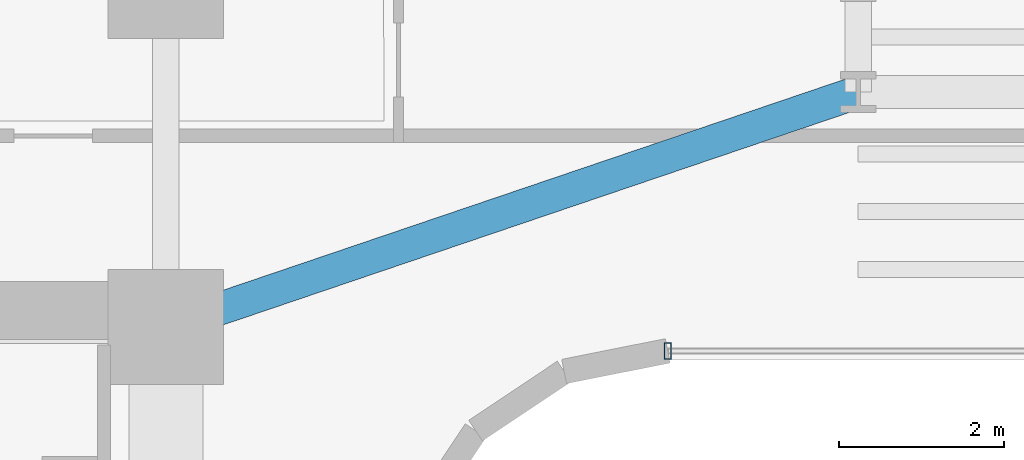
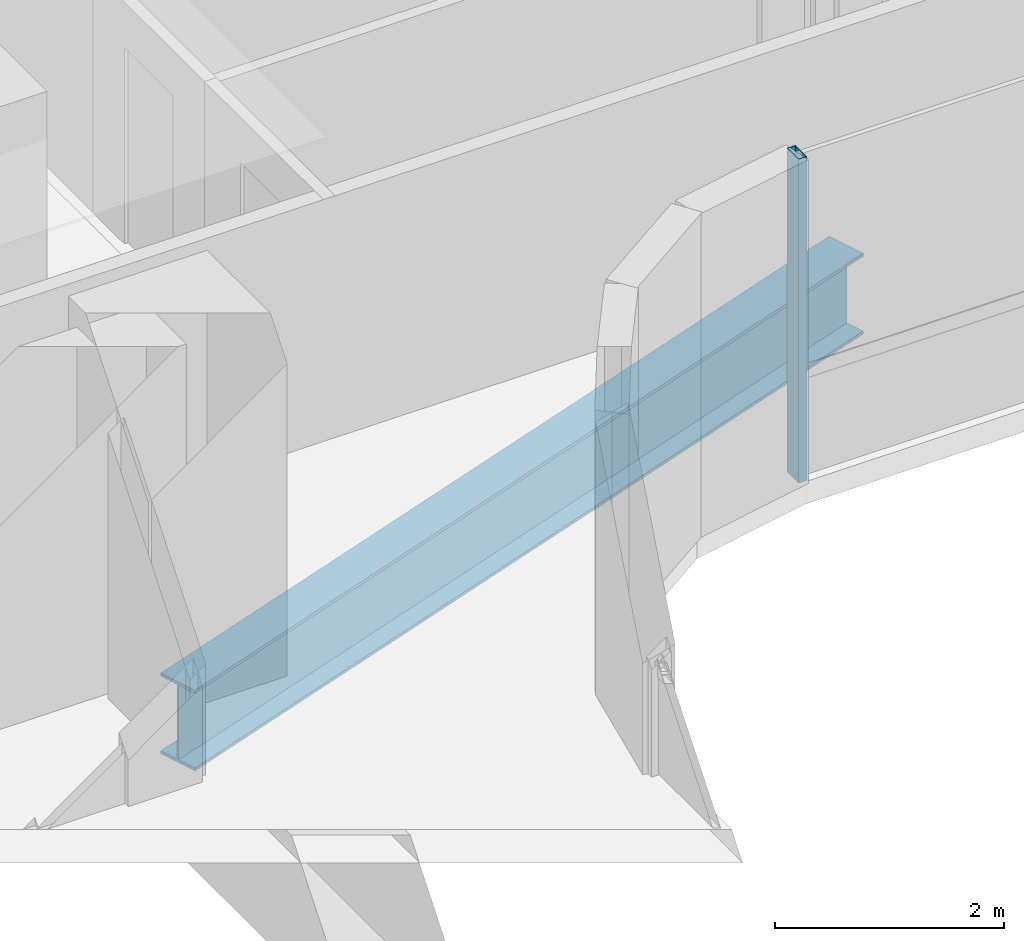
# One storey, part 11 of 40: 1 beam, 1 member, 1 element without a shape of its own.
"""IFC4 building model written with IfcOpenShell, lengths in metres."""

from ifc_helpers import new_model, si_unit, direction, frame, origin, origin_2d, place, context, subcontext, project, spatial, hollow_rectangle, i_section, extrude, source, transform, mapped, material, material_profile, profile_set, type_object, element, aggregate, save


model = new_model("IFC4")

# Units and contexts
model_context = context("Model", 3, precision=1e-05, world=origin(), true_north=direction((0.0, 1.0)))
body_context = subcontext(model_context, "Body", "Model", "MODEL_VIEW")
ifc_project = project(units=[si_unit("LENGTHUNIT", "METRE"), si_unit("AREAUNIT", "SQUARE_METRE"), si_unit("VOLUMEUNIT", "CUBIC_METRE"), si_unit("PLANEANGLEUNIT", "RADIAN"), si_unit("MASSUNIT", "GRAM", prefix="KILO")], contexts=[model_context])

# Site, building, storey
site_placement = place(None, origin())
site = spatial("IfcSite", under=ifc_project, at=site_placement, CompositionType="ELEMENT")
building_placement = place(site_placement, origin())
building = spatial("IfcBuilding", under=site, at=building_placement, Name="Valdorenza Pilgrim Sanctuary Tower", CompositionType="ELEMENT")
storey_placement = place(building_placement, frame((0.0, 0.0, 40.800048828125)))
storey = spatial("IfcBuildingStorey", under=building, at=storey_placement, Name="L09", CompositionType="ELEMENT", Elevation=40.800048828125)

# Beam
ifc_material_1 = material(Name="Steel ASTM A992 Grade 50", Category="steel")
ifc_material_profile_1 = material_profile(ifc_material_1, i_section(OverallWidth=0.39990234375, OverallDepth=0.862060546875, WebThickness=0.019775390625, FlangeThickness=0.032470703125, at=origin_2d()), Name="W33X221")
ifc_profile_set_1 = profile_set([ifc_material_profile_1], Name="Steel ASTM A992 Grade 50")
beam_type = type_object("IfcBeamType", Name="STR-BM-GRD-W33", PredefinedType="BEAM", material=ifc_profile_set_1)
shared_shape_1 = source(origin(), body_context, "Body", "SweptSolid", [
    extrude(i_section(OverallWidth=0.39990234375, OverallDepth=0.862060546875, WebThickness=0.019775390625, FlangeThickness=0.032470703125, at=origin_2d()), origin(), (0.0, 0.0, 1.0), 8.8701171875),
])
beam_placement = place(storey_placement, frame((-12.39990234375, 10.60009765625, -0.671142578125), z_axis=(0.946982588361, 0.321284885018, 0.0), x_axis=(-0.321284885018, 0.946982588361, 0.0)))
element("IfcBeam", 1, at=beam_placement, inside=storey, type_object=beam_type, Name="L09 Floor Girder KNK-G1", PredefinedType="BEAM", context=body_context, shape_type="MappedRepresentation", body=[
    mapped(shared_shape_1, transform((0.0, 0.0, 0.0), x_axis=(1.0, 0.0, 0.0), y_axis=(0.0, 1.0, 0.0), z_axis=(0.0, 0.0, 1.0), scale=1.0)),
])

# Curtain wall, member
ifc_material_2 = material(Name="Curtain-wall IGU glazing", Category="glass")
curtain_wall_type = type_object("IfcCurtainWallType", Name="CW-SYS-02", PredefinedType="NOTDEFINED", material=ifc_material_2)
curtain_wall_placement = place(storey_placement, origin())
curtain_wall = element("IfcCurtainWall", 2, at=curtain_wall_placement, inside=storey, type_object=curtain_wall_type, Name="L09 Curtain Wall CW-L09-1-36", PredefinedType="NOTDEFINED")
ifc_material_3 = material(Name="Anodised aluminium AW-6060", Category="aluminium")
ifc_material_profile_2 = material_profile(ifc_material_3, hollow_rectangle(XDim=0.0849609375, YDim=0.199951171875, WallThickness=0.0048828125, at=origin_2d()), Name="ALU-M 200x85x5")
ifc_profile_set_2 = profile_set([ifc_material_profile_2], Name="Anodised aluminium AW-6060")
member_type = type_object("IfcMemberType", Name="CW-MUL-02", PredefinedType="MULLION", material=ifc_profile_set_2)
shared_shape_2 = source(origin(), body_context, "Body", "SweptSolid", [
    extrude(hollow_rectangle(XDim=0.0849609375, YDim=0.199951171875, WallThickness=0.0048828125, at=origin_2d()), origin(), (0.0, 0.0, 1.0), 3.4599609375),
])
member_placement = place(storey_placement, frame((-6.310791015625, 10.31005859375, 0.0), z_axis=(0.0, 0.0, 1.0), x_axis=(-1.0, 0.0, 0.0)))
member = element("IfcMember", 3, at=member_placement, type_object=member_type, Name="CW-L09-1-36 Mullion 4", PredefinedType="MULLION", context=body_context, shape_type="MappedRepresentation", body=[
    mapped(shared_shape_2, transform((0.0, 0.0, 0.0), x_axis=(1.0, 0.0, 0.0), y_axis=(0.0, 1.0, 0.0), z_axis=(0.0, 0.0, 1.0), scale=1.0)),
])
aggregate(curtain_wall, [member])

save(model, "model.ifc")
